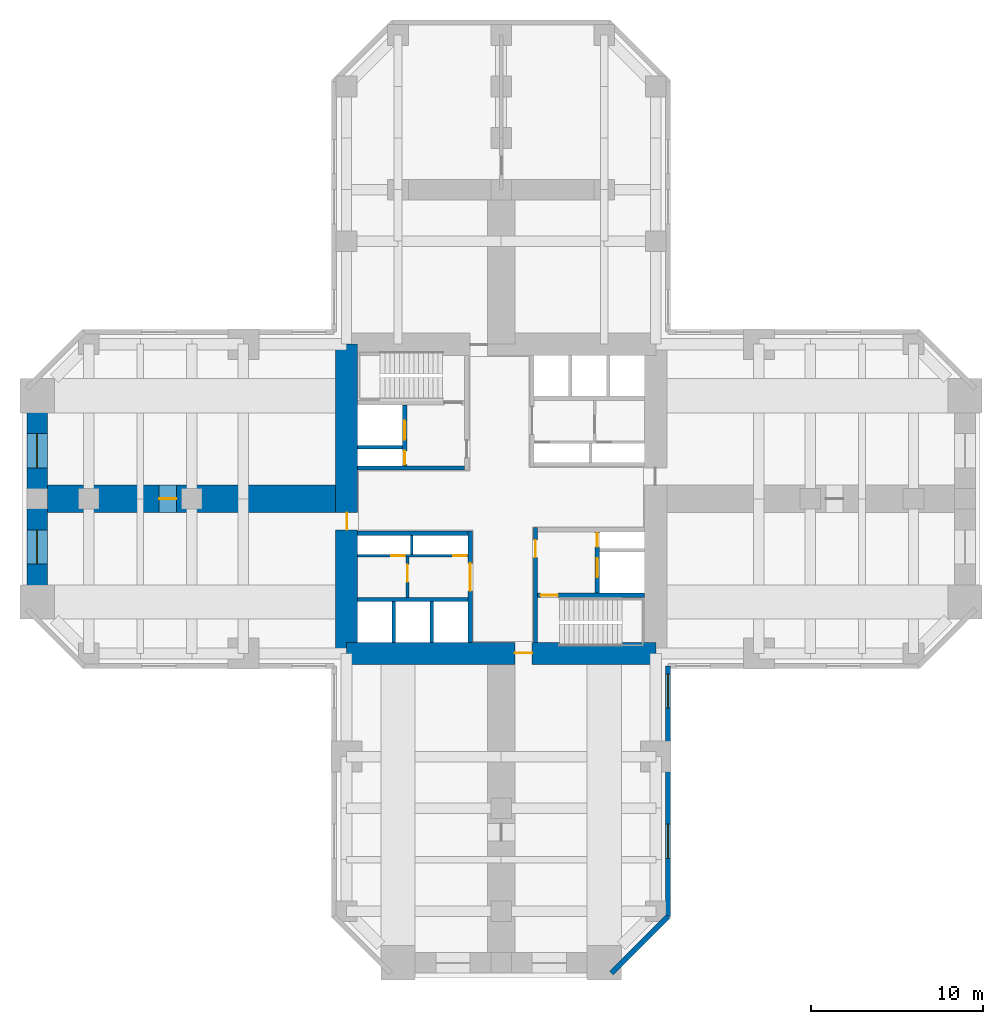
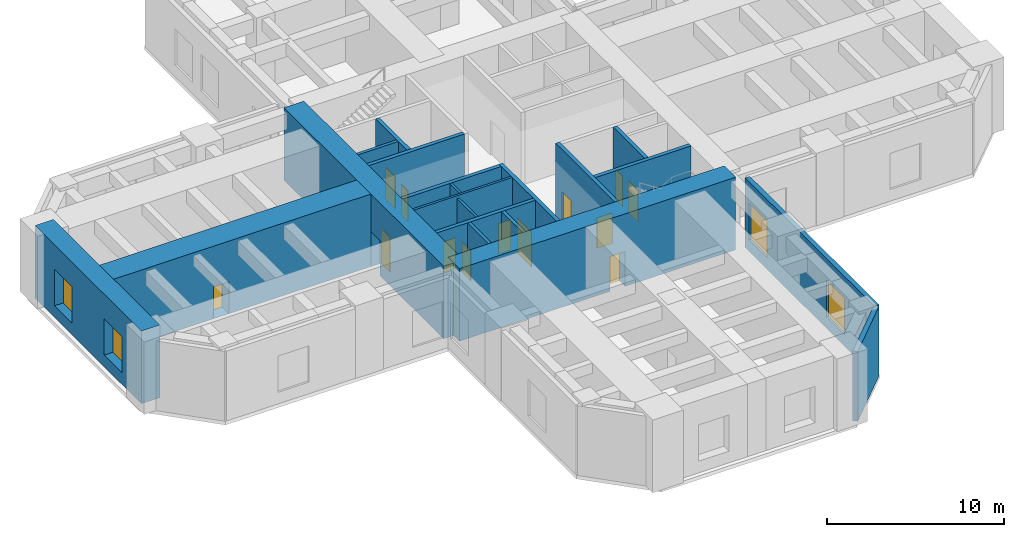
# One storey, part 3 of 6: 20 walls, 13 doors, 4 windows, 17 openings.
"""IFC4 building model written with IfcOpenShell, lengths in metres."""

from ifc_helpers import new_model, si_unit, direction, frame, frame_2d, origin, place, context, subcontext, project, spatial, rectangle, hollow_rectangle, extrude, material, layer, layer_set, constituent, constituent_set, type_object, element, fill, save


model = new_model("IFC4")

# Units and contexts
model_context = context("Model", 3, precision=1e-05, world=origin(), true_north=direction((0.0, 1.0)))
body_context = subcontext(model_context, "Body", "Model", "MODEL_VIEW")
ifc_project = project(units=[si_unit("LENGTHUNIT", "METRE"), si_unit("AREAUNIT", "SQUARE_METRE"), si_unit("VOLUMEUNIT", "CUBIC_METRE"), si_unit("PLANEANGLEUNIT", "RADIAN"), si_unit("MASSUNIT", "GRAM", prefix="KILO")], contexts=[model_context])

# Site, building, storey
site_placement = place(None, origin())
site = spatial("IfcSite", under=ifc_project, at=site_placement, CompositionType="ELEMENT")
building_placement = place(site_placement, origin())
building = spatial("IfcBuilding", under=site, at=building_placement, Name="Torre Cruceta", CompositionType="ELEMENT")
storey_placement = place(building_placement, frame((0.0, 0.0, 18.5)))
storey = spatial("IfcBuildingStorey", under=building, at=storey_placement, Name="L04", CompositionType="ELEMENT", Elevation=18.5)

# Wall
ifc_material_1 = material(Name="Concrete G60 (fck 60 MPa)", Category="concrete")
ifc_layer_1 = layer(ifc_material_1, 0.25)
ifc_layer_set_1 = layer_set([ifc_layer_1], Name="Concrete G60 (fck 60 MPa)")
wall_type_1 = type_object("IfcWallType", Name="CORE INNER WALL 250 G60", PredefinedType="SHEAR", material=ifc_layer_set_1)
wall_1_placement = place(storey_placement, frame((-2.125, 1.800048828125, 0.0), z_axis=(0.0, 0.0, 1.0), x_axis=(-1.0, 0.0, 0.0)))
element("IfcWall", 1, at=wall_1_placement, inside=storey, type_object=wall_type_1, Name="CW4 L04 NW-CV", PredefinedType="SHEAR", context=body_context, shape_type="SweptSolid", body=[
    extrude(rectangle(XDim=6.22509765625, YDim=0.25, at=frame_2d((3.112548828125, 0.0))), origin(), (0.0, 0.0, 1.0), 5.0),
])

# Wall, openings, doors
wall_2_placement = place(storey_placement, frame((-5.60009765625, 1.925048828125, 0.0), z_axis=(0.0, 0.0, 1.0), x_axis=(0.0, 1.0, 0.0)))
wall_2 = element("IfcWall", 2, at=wall_2_placement, inside=storey, type_object=wall_type_1, Name="CW4 L04 NW-FU", PredefinedType="SHEAR", context=body_context, shape_type="SweptSolid", body=[
    extrude(rectangle(XDim=3.550048828125, YDim=0.25, at=frame_2d((1.77490234375, 0.0))), origin(), (0.0, 0.0, 1.0), 5.0),
])
opening_1_placement = place(wall_2_placement, frame((1.52490234375, 0.0, 0.0)))
opening_1 = element("IfcOpeningElement", 3, at=opening_1_placement, cuts=wall_2, Name="Opening LD1", PredefinedType="OPENING", context=body_context, shape_type="SweptSolid", body=[
    extrude(rectangle(XDim=1.10009765625, YDim=2.199951171875, at=frame_2d((0.550048828125, 1.10009765625))), frame((0.0, 0.135009765625, 0.0), z_axis=(0.0, -1.0, 0.0), x_axis=(1.0, 0.0, 0.0)), (0.0, 0.0, 1.0), 0.27001953125),
])
opening_2_placement = place(wall_2_placement, frame((0.074951171875, 0.0, 0.0)))
opening_2 = element("IfcOpeningElement", 4, at=opening_2_placement, cuts=wall_2, Name="Opening D5", PredefinedType="OPENING", context=body_context, shape_type="SweptSolid", body=[
    extrude(rectangle(XDim=0.800048828125, YDim=2.10009765625, at=frame_2d((0.39990234375, 1.050048828125))), frame((0.0, 0.135009765625, 0.0), z_axis=(0.0, -1.0, 0.0), x_axis=(1.0, 0.0, 0.0)), (0.0, 0.0, 1.0), 0.27001953125),
])
ifc_material_2 = material(Name="Stainless steel 1.4401", Category="steel")
door_type_1 = type_object("IfcDoorType", Name="LIFT LANDING DOOR 1100X2200", OperationType="DOUBLE_DOOR_SLIDING", PredefinedType="DOOR", material=ifc_material_2)
door_1_placement = place(opening_1_placement, origin())
door_1 = element("IfcDoor", 5, at=door_1_placement, inside=storey, type_object=door_type_1, Name="Lift landing door FL1", OperationType="DOUBLE_DOOR_SLIDING", OverallHeight=2.199951171875, OverallWidth=1.10009765625, PredefinedType="DOOR", context=body_context, shape_type="SweptSolid", body=[
    extrude(rectangle(XDim=1.10009765625, YDim=2.199951171875, at=frame_2d((0.550048828125, 1.10009765625))), frame((0.0, 0.02490234375, 0.0), z_axis=(0.0, -1.0, 0.0), x_axis=(1.0, 0.0, 0.0)), (0.0, 0.0, 1.0), 0.050048828125),
])
fill(opening_1, door_1)
ifc_material_3 = material(Name="Steel DX51D", Category="steel")
ifc_constituent_1 = constituent(ifc_material_3, Name="Leaf and frame")
ifc_material_4 = material(Name="Polyester powder coating", Category="paint")
ifc_constituent_2 = constituent(ifc_material_4, Name="Finish")
ifc_constituent_set_1 = constituent_set(constituents=[ifc_constituent_1, ifc_constituent_2], Name="Steel fire door")
door_type_2 = type_object("IfcDoorType", Name="RISER ACCESS DOOR 800X2100", OperationType="SINGLE_SWING_LEFT", PredefinedType="DOOR", material=ifc_constituent_set_1)
door_2_placement = place(opening_2_placement, origin())
door_2 = element("IfcDoor", 6, at=door_2_placement, inside=storey, type_object=door_type_2, Name="D5 L04 NW-RISER", OperationType="SINGLE_SWING_LEFT", OverallHeight=2.10009765625, OverallWidth=0.800048828125, PredefinedType="DOOR", context=body_context, shape_type="SweptSolid", body=[
    extrude(rectangle(XDim=0.800048828125, YDim=2.10009765625, at=frame_2d((0.39990234375, 1.050048828125))), frame((0.0, 0.02490234375, 0.0), z_axis=(0.0, -1.0, 0.0), x_axis=(1.0, 0.0, 0.0)), (0.0, 0.0, 1.0), 0.050048828125),
])
fill(opening_2, door_2)

# Wall, opening, door
wall_3_placement = place(storey_placement, frame((-1.800048828125, -1.875, 0.0), z_axis=(0.0, 0.0, 1.0), x_axis=(0.0, -1.0, 0.0)))
wall_3 = element("IfcWall", 7, at=wall_3_placement, inside=storey, type_object=wall_type_1, Name="CW4 L04 SW-CU", PredefinedType="SHEAR", context=body_context, shape_type="SweptSolid", body=[
    extrude(rectangle(XDim=6.47509765625, YDim=0.25, at=frame_2d((3.237548828125, 0.0))), origin(), (0.0, 0.0, 1.0), 5.0),
])
opening_3_placement = place(wall_3_placement, frame((1.875, 0.0, 0.0)))
opening_3 = element("IfcOpeningElement", 8, at=opening_3_placement, cuts=wall_3, Name="Opening D15", PredefinedType="OPENING", context=body_context, shape_type="SweptSolid", body=[
    extrude(rectangle(XDim=1.60009765625, YDim=2.39990234375, at=frame_2d((0.800048828125, 1.199951171875))), frame((0.0, 0.135009765625, 0.0), z_axis=(0.0, -1.0, 0.0), x_axis=(1.0, 0.0, 0.0)), (0.0, 0.0, 1.0), 0.27001953125),
])
ifc_material_5 = material(Name="Steel DX51D", Category="steel")
ifc_constituent_3 = constituent(ifc_material_5, Name="Leaf and frame")
ifc_material_6 = material(Name="Polyester powder coating", Category="paint")
ifc_constituent_4 = constituent(ifc_material_6, Name="Finish")
ifc_constituent_set_2 = constituent_set(constituents=[ifc_constituent_3, ifc_constituent_4], Name="Steel fire door")
door_type_3 = type_object("IfcDoorType", Name="CORE ROOM DOUBLE DOOR 1600X2400", OperationType="DOUBLE_DOOR_SINGLE_SWING", PredefinedType="DOOR", material=ifc_constituent_set_2)
door_3_placement = place(opening_3_placement, frame((1.60009765625, 0.0, 0.0), z_axis=(0.0, 0.0, 1.0), x_axis=(-1.0, 0.0, 0.0)))
door_3 = element("IfcDoor", 9, at=door_3_placement, inside=storey, type_object=door_type_3, Name="D15 L04 SW-LOBBY", OperationType="DOUBLE_DOOR_SINGLE_SWING", OverallHeight=2.39990234375, OverallWidth=1.60009765625, PredefinedType="DOOR", context=body_context, shape_type="SweptSolid", body=[
    extrude(rectangle(XDim=1.60009765625, YDim=2.39990234375, at=frame_2d((0.800048828125, 1.199951171875))), frame((0.0, 0.025146484375, 0.0), z_axis=(0.0, -1.0, 0.0), x_axis=(1.0, 0.0, 0.0)), (0.0, 0.0, 1.0), 0.050048828125),
])
fill(opening_3, door_3)

# Walls
for number, where, z_axis, x_axis, name in (
    (10, (-1.925048828125, -2.0, 0.0), (0.0, 0.0, 1.0), (-1.0, 0.0, 0.0), "CW4 L04 SW-CV"),
    (11, (-1.925048828125, -5.85009765625, 0.0), (0.0, 0.0, 1.0), (-1.0, 0.0, 0.0), "CW4 L04 SW-LV"),
):
    element("IfcWall", number, at=place(storey_placement, frame(where, z_axis=z_axis, x_axis=x_axis)), inside=storey, type_object=wall_type_1, Name=name, PredefinedType="SHEAR", context=body_context, shape_type="SweptSolid", body=[
        extrude(rectangle(XDim=6.425048828125, YDim=0.25, at=frame_2d((3.21240234375, 0.0))), origin(), (0.0, 0.0, 1.0), 5.0),
    ])

# Wall, opening, door
wall_4_placement = place(storey_placement, frame((2.0, -1.675048828125, 0.0), z_axis=(0.0, 0.0, 1.0), x_axis=(0.0, -1.0, 0.0)))
wall_4 = element("IfcWall", 12, at=wall_4_placement, inside=storey, type_object=wall_type_1, Name="CW4 L04 SE-CU", PredefinedType="SHEAR", context=body_context, shape_type="SweptSolid", body=[
    extrude(rectangle(XDim=6.675048828125, YDim=0.25, at=frame_2d((3.33740234375, 0.0))), origin(), (0.0, 0.0, 1.0), 5.0),
])
opening_4_placement = place(wall_4_placement, frame((0.72509765625, 0.0, 0.0)))
opening_4 = element("IfcOpeningElement", 13, at=opening_4_placement, cuts=wall_4, Name="Opening D3", PredefinedType="OPENING", context=body_context, shape_type="SweptSolid", body=[
    extrude(rectangle(XDim=1.0, YDim=2.10009765625, at=frame_2d((0.5, 1.050048828125))), frame((0.0, 0.135009765625, 0.0), z_axis=(0.0, -1.0, 0.0), x_axis=(1.0, 0.0, 0.0)), (0.0, 0.0, 1.0), 0.27001953125),
])
ifc_material_7 = material(Name="Steel DX51D", Category="steel")
ifc_constituent_5 = constituent(ifc_material_7, Name="Leaf and frame")
ifc_material_8 = material(Name="Polyester powder coating", Category="paint")
ifc_constituent_6 = constituent(ifc_material_8, Name="Finish")
ifc_constituent_set_3 = constituent_set(constituents=[ifc_constituent_5, ifc_constituent_6], Name="Steel fire door")
door_type_4 = type_object("IfcDoorType", Name="FIRE DOOR 1000X2100", OperationType="SINGLE_SWING_LEFT", PredefinedType="DOOR", material=ifc_constituent_set_3)
door_4_placement = place(opening_4_placement, origin())
door_4 = element("IfcDoor", 14, at=door_4_placement, inside=storey, type_object=door_type_4, Name="D3 L04 SE-LOBBY", OperationType="SINGLE_SWING_LEFT", OverallHeight=2.10009765625, OverallWidth=1.0, PredefinedType="DOOR", context=body_context, shape_type="SweptSolid", body=[
    extrude(rectangle(XDim=1.0, YDim=2.10009765625, at=frame_2d((0.5, 1.050048828125))), frame((0.0, 0.02490234375, 0.0), z_axis=(0.0, -1.0, 0.0), x_axis=(1.0, 0.0, 0.0)), (0.0, 0.0, 1.0), 0.050048828125),
])
fill(opening_4, door_4)

wall_5_placement = place(storey_placement, frame((2.125, -5.60009765625, 0.0), z_axis=(0.0, 0.0, 1.0), x_axis=(1.0, 0.0, 0.0)))
wall_5 = element("IfcWall", 15, at=wall_5_placement, inside=storey, type_object=wall_type_1, Name="CW4 L04 SE-SV", PredefinedType="SHEAR", context=body_context, shape_type="SweptSolid", body=[
    extrude(rectangle(XDim=6.22509765625, YDim=0.25, at=frame_2d((3.112548828125, 0.0))), origin(), (0.0, 0.0, 1.0), 5.0),
])
opening_5_placement = place(wall_5_placement, frame((0.175048828125, 0.0, 0.0)))
opening_5 = element("IfcOpeningElement", 16, at=opening_5_placement, cuts=wall_5, Name="Opening D3", PredefinedType="OPENING", context=body_context, shape_type="SweptSolid", body=[
    extrude(rectangle(XDim=1.0, YDim=2.10009765625, at=frame_2d((0.5, 1.050048828125))), frame((0.0, 0.135009765625, 0.0), z_axis=(0.0, -1.0, 0.0), x_axis=(1.0, 0.0, 0.0)), (0.0, 0.0, 1.0), 0.27001953125),
])
door_5_placement = place(opening_5_placement, frame((1.0, 0.0, 0.0), z_axis=(0.0, 0.0, 1.0), x_axis=(-1.0, 0.0, 0.0)))
door_5 = element("IfcDoor", 17, at=door_5_placement, inside=storey, type_object=door_type_4, Name="D3 L04 SE-STAIR", OperationType="SINGLE_SWING_RIGHT", OverallHeight=2.10009765625, OverallWidth=1.0, PredefinedType="DOOR", context=body_context, shape_type="SweptSolid", body=[
    extrude(rectangle(XDim=1.0, YDim=2.10009765625, at=frame_2d((0.5, 1.050048828125))), frame((0.0, 0.025146484375, 0.0), z_axis=(0.0, -1.0, 0.0), x_axis=(1.0, 0.0, 0.0)), (0.0, 0.0, 1.0), 0.050048828125),
])
fill(opening_5, door_5)

# Wall, openings, doors
wall_6_placement = place(storey_placement, frame((5.60009765625, -1.925048828125, 0.0), z_axis=(0.0, 0.0, 1.0), x_axis=(0.0, -1.0, 0.0)))
wall_6 = element("IfcWall", 18, at=wall_6_placement, inside=storey, type_object=wall_type_1, Name="CW4 L04 SE-FU", PredefinedType="SHEAR", context=body_context, shape_type="SweptSolid", body=[
    extrude(rectangle(XDim=3.550048828125, YDim=0.25, at=frame_2d((1.77490234375, 0.0))), origin(), (0.0, 0.0, 1.0), 5.0),
])
opening_6_placement = place(wall_6_placement, frame((1.52490234375, 0.0, 0.0)))
opening_6 = element("IfcOpeningElement", 19, at=opening_6_placement, cuts=wall_6, Name="Opening LD1", PredefinedType="OPENING", context=body_context, shape_type="SweptSolid", body=[
    extrude(rectangle(XDim=1.10009765625, YDim=2.199951171875, at=frame_2d((0.550048828125, 1.10009765625))), frame((0.0, 0.135009765625, 0.0), z_axis=(0.0, -1.0, 0.0), x_axis=(1.0, 0.0, 0.0)), (0.0, 0.0, 1.0), 0.27001953125),
])
opening_7_placement = place(wall_6_placement, frame((0.074951171875, 0.0, 0.0)))
opening_7 = element("IfcOpeningElement", 20, at=opening_7_placement, cuts=wall_6, Name="Opening D5", PredefinedType="OPENING", context=body_context, shape_type="SweptSolid", body=[
    extrude(rectangle(XDim=0.800048828125, YDim=2.10009765625, at=frame_2d((0.39990234375, 1.050048828125))), frame((0.0, 0.135009765625, 0.0), z_axis=(0.0, -1.0, 0.0), x_axis=(1.0, 0.0, 0.0)), (0.0, 0.0, 1.0), 0.27001953125),
])
door_6_placement = place(opening_6_placement, origin())
door_6 = element("IfcDoor", 21, at=door_6_placement, inside=storey, type_object=door_type_1, Name="Lift landing door FL2", OperationType="DOUBLE_DOOR_SLIDING", OverallHeight=2.199951171875, OverallWidth=1.10009765625, PredefinedType="DOOR", context=body_context, shape_type="SweptSolid", body=[
    extrude(rectangle(XDim=1.10009765625, YDim=2.199951171875, at=frame_2d((0.550048828125, 1.10009765625))), frame((0.0, 0.02490234375, 0.0), z_axis=(0.0, -1.0, 0.0), x_axis=(1.0, 0.0, 0.0)), (0.0, 0.0, 1.0), 0.050048828125),
])
fill(opening_6, door_6)
door_7_placement = place(opening_7_placement, origin())
door_7 = element("IfcDoor", 22, at=door_7_placement, inside=storey, type_object=door_type_2, Name="D5 L04 SE-RISER", OperationType="SINGLE_SWING_LEFT", OverallHeight=2.10009765625, OverallWidth=0.800048828125, PredefinedType="DOOR", context=body_context, shape_type="SweptSolid", body=[
    extrude(rectangle(XDim=0.800048828125, YDim=2.10009765625, at=frame_2d((0.39990234375, 1.050048828125))), frame((0.0, 0.02490234375, 0.0), z_axis=(0.0, -1.0, 0.0), x_axis=(1.0, 0.0, 0.0)), (0.0, 0.0, 1.0), 0.050048828125),
])
fill(opening_7, door_7)

# Wall, opening, door
ifc_material_9 = material(Name="Concrete G60 (fck 60 MPa)", Category="concrete")
ifc_layer_2 = layer(ifc_material_9, 1.300048828125)
ifc_layer_set_2 = layer_set([ifc_layer_2], Name="Concrete G60 (fck 60 MPa)")
wall_type_2 = type_object("IfcWallType", Name="CORE WALL 1300 G60", PredefinedType="SHEAR", material=ifc_layer_set_2)
wall_7_placement = place(storey_placement, frame((-9.0, -9.0, 0.0), z_axis=(0.0, 0.0, 1.0), x_axis=(1.0, 0.0, 0.0)))
wall_7 = element("IfcWall", 23, at=wall_7_placement, inside=storey, type_object=wall_type_2, Name="CW1 L04 CW-S", PredefinedType="SHEAR", context=body_context, shape_type="SweptSolid", body=[
    extrude(rectangle(XDim=18.0, YDim=1.300048828125, at=frame_2d((9.0, 0.0))), origin(), (0.0, 0.0, 1.0), 5.0),
])
opening_8_placement = place(wall_7_placement, frame((9.800048828125, 0.0, 0.0)))
opening_8 = element("IfcOpeningElement", 24, at=opening_8_placement, cuts=wall_7, Name="Opening D4", PredefinedType="OPENING", context=body_context, shape_type="SweptSolid", body=[
    extrude(rectangle(XDim=1.0, YDim=2.39990234375, at=frame_2d((0.5, 1.199951171875))), frame((0.0, 0.659912109375, 0.0), z_axis=(0.0, -1.0, 0.0), x_axis=(1.0, 0.0, 0.0)), (0.0, 0.0, 1.0), 1.320068359375),
])
ifc_material_10 = material(Name="Steel DX51D", Category="steel")
ifc_constituent_7 = constituent(ifc_material_10, Name="Leaf and frame")
ifc_material_11 = material(Name="Polyester powder coating", Category="paint")
ifc_constituent_8 = constituent(ifc_material_11, Name="Finish")
ifc_constituent_set_4 = constituent_set(constituents=[ifc_constituent_7, ifc_constituent_8], Name="Steel fire door")
door_type_5 = type_object("IfcDoorType", Name="CORE ARM DOOR 1000X2400", OperationType="SINGLE_SWING_RIGHT", PredefinedType="DOOR", material=ifc_constituent_set_4)
door_8_placement = place(opening_8_placement, frame((1.0, 0.0, 0.0), z_axis=(0.0, 0.0, 1.0), x_axis=(-1.0, 0.0, 0.0)))
door_8 = element("IfcDoor", 25, at=door_8_placement, inside=storey, type_object=door_type_5, Name="D4 L04 CW-S", OperationType="SINGLE_SWING_RIGHT", OverallHeight=2.39990234375, OverallWidth=1.0, PredefinedType="DOOR", context=body_context, shape_type="SweptSolid", body=[
    extrude(rectangle(XDim=1.0, YDim=2.39990234375, at=frame_2d((0.5, 1.199951171875))), frame((0.0, -0.005126953125, 0.0), z_axis=(0.0, -1.0, 0.0), x_axis=(1.0, 0.0, 0.0)), (0.0, 0.0, 1.0), 0.050048828125),
])
fill(opening_8, door_8)

wall_8_placement = place(storey_placement, frame((-9.0, 9.0, 0.0), z_axis=(0.0, 0.0, 1.0), x_axis=(0.0, -1.0, 0.0)))
wall_8 = element("IfcWall", 26, at=wall_8_placement, inside=storey, type_object=wall_type_2, Name="CW1 L04 CW-W", PredefinedType="SHEAR", context=body_context, shape_type="SweptSolid", body=[
    extrude(rectangle(XDim=18.0, YDim=1.300048828125, at=frame_2d((9.0, 0.0))), origin(), (0.0, 0.0, 1.0), 5.0),
])
opening_9_placement = place(wall_8_placement, frame((9.800048828125, 0.0, 0.0)))
opening_9 = element("IfcOpeningElement", 27, at=opening_9_placement, cuts=wall_8, Name="Opening D4", PredefinedType="OPENING", context=body_context, shape_type="SweptSolid", body=[
    extrude(rectangle(XDim=1.0, YDim=2.39990234375, at=frame_2d((0.5, 1.199951171875))), frame((0.0, 0.659912109375, 0.0), z_axis=(0.0, -1.0, 0.0), x_axis=(1.0, 0.0, 0.0)), (0.0, 0.0, 1.0), 1.320068359375),
])
door_9_placement = place(opening_9_placement, frame((1.0, 0.0, 0.0), z_axis=(0.0, 0.0, 1.0), x_axis=(-1.0, 0.0, 0.0)))
door_9 = element("IfcDoor", 28, at=door_9_placement, inside=storey, type_object=door_type_5, Name="D4 L04 CW-W", OperationType="SINGLE_SWING_RIGHT", OverallHeight=2.39990234375, OverallWidth=1.0, PredefinedType="DOOR", context=body_context, shape_type="SweptSolid", body=[
    extrude(rectangle(XDim=1.0, YDim=2.39990234375, at=frame_2d((0.5, 1.199951171875))), frame((0.0, -0.005126953125, 0.0), z_axis=(0.0, -1.0, 0.0), x_axis=(1.0, 0.0, 0.0)), (0.0, 0.0, 1.0), 0.050048828125),
])
fill(opening_9, door_9)

# Wall
ifc_material_12 = material(Name="Concrete G30 (fck 30 MPa)", Category="concrete")
ifc_layer_3 = layer(ifc_material_12, 0.300048828125)
ifc_layer_set_3 = layer_set([ifc_layer_3], Name="Concrete G30 (fck 30 MPa)")
wall_type_3 = type_object("IfcWallType", Name="EXPOSED CONCRETE FACADE WALL 300", PredefinedType="SOLIDWALL", material=ifc_layer_set_3)
wall_9_placement = place(storey_placement, frame((6.418212890625, -27.60009765625, 0.0), z_axis=(0.0, 0.0, 1.0), x_axis=(0.707106781187, 0.707106781187, 0.0)))
element("IfcWall", 29, at=wall_9_placement, inside=storey, type_object=wall_type_3, Name="EW1 facade wall L04 S chamfer 18", PredefinedType="SOLIDWALL", context=body_context, shape_type="SweptSolid", body=[
    extrude(rectangle(XDim=4.66943359375, YDim=0.300048828125, at=frame_2d((2.334716796875, 0.0))), origin(), (0.0, 0.0, 1.0), 4.800048828125),
])

# Wall, openings, windows
wall_10_placement = place(storey_placement, frame((9.719970703125, -24.29833984375, 0.0), z_axis=(0.0, 0.0, 1.0), x_axis=(0.0, 1.0, 0.0)))
wall_10 = element("IfcWall", 30, at=wall_10_placement, inside=storey, type_object=wall_type_3, Name="EW1 facade wall L04 S side 19", PredefinedType="SOLIDWALL", context=body_context, shape_type="SweptSolid", body=[
    extrude(rectangle(XDim=14.578369140625, YDim=0.300048828125, at=frame_2d((7.2890625, 0.0))), origin(), (0.0, 0.0, 1.0), 4.800048828125),
])
opening_10_placement = place(wall_10_placement, frame((3.37353515625, 0.0, 0.800048828125)))
opening_10 = element("IfcOpeningElement", 31, at=opening_10_placement, cuts=wall_10, Name="Opening WN3", PredefinedType="OPENING", context=body_context, shape_type="SweptSolid", body=[
    extrude(rectangle(XDim=2.0, YDim=2.5, at=frame_2d((1.0, 1.25))), frame((0.0, 0.159912109375, 0.0), z_axis=(0.0, -1.0, 0.0), x_axis=(1.0, 0.0, 0.0)), (0.0, 0.0, 1.0), 0.320068359375),
])
opening_11_placement = place(wall_10_placement, frame((12.120361328125, 0.0, 0.800048828125)))
opening_11 = element("IfcOpeningElement", 32, at=opening_11_placement, cuts=wall_10, Name="Opening WN3", PredefinedType="OPENING", context=body_context, shape_type="SweptSolid", body=[
    extrude(rectangle(XDim=2.0, YDim=2.5, at=frame_2d((1.0, 1.25))), frame((0.0, 0.159912109375, 0.0), z_axis=(0.0, -1.0, 0.0), x_axis=(1.0, 0.0, 0.0)), (0.0, 0.0, 1.0), 0.320068359375),
])
ifc_material_13 = material(Name="Aluminium window frame", Category="aluminium")
ifc_constituent_9 = constituent(ifc_material_13, Name="Frame")
ifc_material_14 = material(Name="Laminated insulating glass unit, low-iron clear", Category="glass")
ifc_constituent_10 = constituent(ifc_material_14, Name="Glazing")
ifc_constituent_set_5 = constituent_set(constituents=[ifc_constituent_9, ifc_constituent_10], Name="Aluminium window")
window_type = type_object("IfcWindowType", Name="PLANT LOUVRE 2000X2500", PartitioningType="SINGLE_PANEL", PredefinedType="WINDOW", material=ifc_constituent_set_5)
window_1_placement = place(opening_10_placement, origin())
window_1 = element("IfcWindow", 33, at=window_1_placement, inside=storey, type_object=window_type, Name="WN3 L04 S 2", OverallHeight=2.5, OverallWidth=2.0, PartitioningType="SINGLE_PANEL", PredefinedType="WINDOW", context=body_context, shape_type="SweptSolid", body=[
    extrude(hollow_rectangle(XDim=2.0, YDim=2.5, WallThickness=0.06005859375, at=frame_2d((1.0, 1.25))), frame((0.0, 0.030029296875, 0.0), z_axis=(0.0, -1.0, 0.0), x_axis=(1.0, 0.0, 0.0)), (0.0, 0.0, 1.0), 0.06005859375),
    extrude(rectangle(XDim=1.87890625, YDim=2.37890625, at=frame_2d((1.0, 1.25))), frame((0.0, 0.030029296875, 0.0), z_axis=(0.0, -1.0, 0.0), x_axis=(1.0, 0.0, 0.0)), (0.0, 0.0, 1.0), 0.06005859375),
])
fill(opening_10, window_1)
window_2_placement = place(opening_11_placement, origin())
window_2 = element("IfcWindow", 34, at=window_2_placement, inside=storey, type_object=window_type, Name="WN3 L04 S 5", OverallHeight=2.5, OverallWidth=2.0, PartitioningType="SINGLE_PANEL", PredefinedType="WINDOW", context=body_context, shape_type="SweptSolid", body=[
    extrude(hollow_rectangle(XDim=2.0, YDim=2.5, WallThickness=0.06005859375, at=frame_2d((1.0, 1.25))), frame((0.0, 0.030029296875, 0.0), z_axis=(0.0, -1.0, 0.0), x_axis=(1.0, 0.0, 0.0)), (0.0, 0.0, 1.0), 0.06005859375),
    extrude(rectangle(XDim=1.87890625, YDim=2.37890625, at=frame_2d((1.0, 1.25))), frame((0.0, 0.030029296875, 0.0), z_axis=(0.0, -1.0, 0.0), x_axis=(1.0, 0.0, 0.0)), (0.0, 0.0, 1.0), 0.06005859375),
])
fill(opening_11, window_2)

# Walls
ifc_material_15 = material(Name="Concrete G35 (fck 35 MPa)", Category="concrete")
ifc_layer_4 = layer(ifc_material_15, 0.199951171875)
ifc_layer_set_4 = layer_set([ifc_layer_4], Name="Concrete G35 (fck 35 MPa)")
wall_type_4 = type_object("IfcWallType", Name="LIFT SHAFT WALL 200", PredefinedType="PARTITIONING", material=ifc_layer_set_4)
wall_11_placement = place(storey_placement, frame((-5.72509765625, 3.0, 0.0), z_axis=(0.0, 0.0, 1.0), x_axis=(-1.0, 0.0, 0.0)))
element("IfcWall", 35, at=wall_11_placement, inside=storey, type_object=wall_type_4, Name="SW1 L04 NW-FR", PredefinedType="PARTITIONING", context=body_context, shape_type="SweptSolid", body=[
    extrude(rectangle(XDim=2.625, YDim=0.199951171875, at=frame_2d((1.3125, 0.0))), origin(), (0.0, 0.0, 1.0), 5.0),
])
for number, where, z_axis, x_axis, name in (
    (36, (-4.033447265625, -5.97509765625, 0.0), (0.0, 0.0, 1.0), (0.0, -1.0, 0.0), "SW1 L04 SW-LS1"),
    (37, (-6.24169921875, -5.97509765625, 0.0), (0.0, 0.0, 1.0), (0.0, -1.0, 0.0), "SW1 L04 SW-LS2"),
):
    element("IfcWall", number, at=place(storey_placement, frame(where, z_axis=z_axis, x_axis=x_axis)), inside=storey, type_object=wall_type_4, Name=name, PredefinedType="PARTITIONING", context=body_context, shape_type="SweptSolid", body=[
        extrude(rectangle(XDim=2.375, YDim=0.199951171875, at=frame_2d((1.1875, 0.0))), origin(), (0.0, 0.0, 1.0), 5.0),
    ])

# Wall, openings, windows
ifc_material_16 = material(Name="Concrete G60 (fck 60 MPa)", Category="concrete")
ifc_layer_5 = layer(ifc_material_16, 1.199951171875)
ifc_layer_set_5 = layer_set([ifc_layer_5], Name="Concrete G60 (fck 60 MPa)")
wall_type_5 = type_object("IfcWallType", Name="NOSE WALL 1200 G60", PredefinedType="SHEAR", material=ifc_layer_set_5)
wall_12_placement = place(storey_placement, frame((-27.0, 6.0, 0.0), z_axis=(0.0, 0.0, 1.0), x_axis=(0.0, -1.0, 0.0)))
wall_12 = element("IfcWall", 38, at=wall_12_placement, inside=storey, type_object=wall_type_5, Name="NW1 nose wall L04 W", PredefinedType="SHEAR", context=body_context, shape_type="SweptSolid", body=[
    extrude(rectangle(XDim=12.0, YDim=1.199951171875, at=frame_2d((6.0, 0.0))), origin(), (0.0, 0.0, 1.0), 5.0),
])
opening_12_placement = place(wall_12_placement, frame((2.199951171875, 0.0, 0.800048828125)))
opening_12 = element("IfcOpeningElement", 39, at=opening_12_placement, cuts=wall_12, Name="Opening WN3", PredefinedType="OPENING", context=body_context, shape_type="SweptSolid", body=[
    extrude(rectangle(XDim=2.0, YDim=2.5, at=frame_2d((1.0, 1.25))), frame((0.0, 0.60986328125, 0.0), z_axis=(0.0, -1.0, 0.0), x_axis=(1.0, 0.0, 0.0)), (0.0, 0.0, 1.0), 1.219970703125),
])
opening_13_placement = place(wall_12_placement, frame((7.800048828125, 0.0, 0.800048828125)))
opening_13 = element("IfcOpeningElement", 40, at=opening_13_placement, cuts=wall_12, Name="Opening WN3", PredefinedType="OPENING", context=body_context, shape_type="SweptSolid", body=[
    extrude(rectangle(XDim=2.0, YDim=2.5, at=frame_2d((1.0, 1.25))), frame((0.0, 0.60986328125, 0.0), z_axis=(0.0, -1.0, 0.0), x_axis=(1.0, 0.0, 0.0)), (0.0, 0.0, 1.0), 1.219970703125),
])
window_3_placement = place(opening_12_placement, origin())
window_3 = element("IfcWindow", 41, at=window_3_placement, inside=storey, type_object=window_type, Name="WN3 L04 W 1", OverallHeight=2.5, OverallWidth=2.0, PartitioningType="SINGLE_PANEL", PredefinedType="WINDOW", context=body_context, shape_type="SweptSolid", body=[
    extrude(hollow_rectangle(XDim=2.0, YDim=2.5, WallThickness=0.06005859375, at=frame_2d((1.0, 1.25))), frame((0.0, 0.030029296875, 0.0), z_axis=(0.0, -1.0, 0.0), x_axis=(1.0, 0.0, 0.0)), (0.0, 0.0, 1.0), 0.06005859375),
    extrude(rectangle(XDim=1.87890625, YDim=2.37890625, at=frame_2d((1.0, 1.25))), frame((0.0, 0.030029296875, 0.0), z_axis=(0.0, -1.0, 0.0), x_axis=(1.0, 0.0, 0.0)), (0.0, 0.0, 1.0), 0.06005859375),
])
fill(opening_12, window_3)
window_4_placement = place(opening_13_placement, origin())
window_4 = element("IfcWindow", 42, at=window_4_placement, inside=storey, type_object=window_type, Name="WN3 L04 W 2", OverallHeight=2.5, OverallWidth=2.0, PartitioningType="SINGLE_PANEL", PredefinedType="WINDOW", context=body_context, shape_type="SweptSolid", body=[
    extrude(hollow_rectangle(XDim=2.0, YDim=2.5, WallThickness=0.06005859375, at=frame_2d((1.0, 1.25))), frame((0.0, 0.030029296875, 0.0), z_axis=(0.0, -1.0, 0.0), x_axis=(1.0, 0.0, 0.0)), (0.0, 0.0, 1.0), 0.06005859375),
    extrude(rectangle(XDim=1.87890625, YDim=2.37890625, at=frame_2d((1.0, 1.25))), frame((0.0, 0.030029296875, 0.0), z_axis=(0.0, -1.0, 0.0), x_axis=(1.0, 0.0, 0.0)), (0.0, 0.0, 1.0), 0.06005859375),
])
fill(opening_13, window_4)

# Wall, opening, door
ifc_material_17 = material(Name="Plasterboard on steel studs", Category="steel")
ifc_layer_6 = layer(ifc_material_17, 0.14990234375)
ifc_layer_set_6 = layer_set([ifc_layer_6], Name="Plasterboard on steel studs")
wall_type_6 = type_object("IfcWallType", Name="PARTITION 150", PredefinedType="PARTITIONING", material=ifc_layer_set_6)
wall_13_placement = place(storey_placement, frame((-5.449951171875, -3.375, 0.0), z_axis=(0.0, 0.0, 1.0), x_axis=(0.0, -1.0, 0.0)))
wall_13 = element("IfcWall", 43, at=wall_13_placement, inside=storey, type_object=wall_type_6, Name="PT1 L04-CORE-SW-X", PredefinedType="PARTITIONING", context=body_context, shape_type="SweptSolid", body=[
    extrude(rectangle(XDim=2.35009765625, YDim=0.14990234375, at=frame_2d((1.175048828125, 0.0))), origin(), (0.0, 0.0, 1.0), 4.800048828125),
])
opening_14_placement = place(wall_13_placement, frame((0.449951171875, 0.0, 0.0)))
opening_14 = element("IfcOpeningElement", 44, at=opening_14_placement, cuts=wall_13, Name="Opening D3", PredefinedType="OPENING", context=body_context, shape_type="SweptSolid", body=[
    extrude(rectangle(XDim=1.0, YDim=2.10009765625, at=frame_2d((0.5, 1.050048828125))), frame((0.0, 0.0849609375, 0.0), z_axis=(0.0, -1.0, 0.0), x_axis=(1.0, 0.0, 0.0)), (0.0, 0.0, 1.0), 0.169921875),
])
door_10_placement = place(opening_14_placement, frame((1.0, 0.0, 0.0), z_axis=(0.0, 0.0, 1.0), x_axis=(-1.0, 0.0, 0.0)))
door_10 = element("IfcDoor", 45, at=door_10_placement, inside=storey, type_object=door_type_4, Name="D3 L04-CORE-SW-X-D1", OperationType="SINGLE_SWING_RIGHT", OverallHeight=2.10009765625, OverallWidth=1.0, PredefinedType="DOOR", context=body_context, shape_type="SweptSolid", body=[
    extrude(rectangle(XDim=1.0, YDim=2.10009765625, at=frame_2d((0.5, 1.050048828125))), frame((0.0, 0.025146484375, 0.0), z_axis=(0.0, -1.0, 0.0), x_axis=(1.0, 0.0, 0.0)), (0.0, 0.0, 1.0), 0.050048828125),
])
fill(opening_14, door_10)

# Wall, openings, doors
ifc_material_18 = material(Name="Concrete block masonry", Category="masonry")
ifc_layer_7 = layer(ifc_material_18, 0.14990234375)
ifc_layer_set_7 = layer_set([ifc_layer_7], Name="Concrete block masonry")
wall_type_7 = type_object("IfcWallType", Name="RISER WALL 150", PredefinedType="PARTITIONING", material=ifc_layer_set_7)
wall_14_placement = place(storey_placement, frame((-1.925048828125, -3.300048828125, 0.0), z_axis=(0.0, 0.0, 1.0), x_axis=(-1.0, 0.0, 0.0)))
wall_14 = element("IfcWall", 46, at=wall_14_placement, inside=storey, type_object=wall_type_7, Name="SW7 L04 SW-RV", PredefinedType="PARTITIONING", context=body_context, shape_type="SweptSolid", body=[
    extrude(rectangle(XDim=6.425048828125, YDim=0.14990234375, at=frame_2d((3.21240234375, 0.0))), origin(), (0.0, 0.0, 1.0), 5.0),
])
opening_15_placement = place(wall_14_placement, frame((0.074951171875, 0.0, 0.0)))
opening_15 = element("IfcOpeningElement", 47, at=opening_15_placement, cuts=wall_14, Name="Opening D5", PredefinedType="OPENING", context=body_context, shape_type="SweptSolid", body=[
    extrude(rectangle(XDim=0.800048828125, YDim=2.10009765625, at=frame_2d((0.39990234375, 1.050048828125))), frame((0.0, 0.0849609375, 0.0), z_axis=(0.0, -1.0, 0.0), x_axis=(1.0, 0.0, 0.0)), (0.0, 0.0, 1.0), 0.169921875),
])
opening_16_placement = place(wall_14_placement, frame((3.675048828125, 0.0, 0.0)))
opening_16 = element("IfcOpeningElement", 48, at=opening_16_placement, cuts=wall_14, Name="Opening D5", PredefinedType="OPENING", context=body_context, shape_type="SweptSolid", body=[
    extrude(rectangle(XDim=0.800048828125, YDim=2.10009765625, at=frame_2d((0.39990234375, 1.050048828125))), frame((0.0, 0.0849609375, 0.0), z_axis=(0.0, -1.0, 0.0), x_axis=(1.0, 0.0, 0.0)), (0.0, 0.0, 1.0), 0.169921875),
])
door_11_placement = place(opening_15_placement, frame((0.800048828125, 0.0, 0.0), z_axis=(0.0, 0.0, 1.0), x_axis=(-1.0, 0.0, 0.0)))
door_11 = element("IfcDoor", 49, at=door_11_placement, inside=storey, type_object=door_type_2, Name="D5 L04 SW-RISER1", OperationType="SINGLE_SWING_RIGHT", OverallHeight=2.10009765625, OverallWidth=0.800048828125, PredefinedType="DOOR", context=body_context, shape_type="SweptSolid", body=[
    extrude(rectangle(XDim=0.800048828125, YDim=2.10009765625, at=frame_2d((0.400146484375, 1.050048828125))), frame((0.0, 0.025146484375, 0.0), z_axis=(0.0, -1.0, 0.0), x_axis=(1.0, 0.0, 0.0)), (0.0, 0.0, 1.0), 0.050048828125),
])
fill(opening_15, door_11)
door_12_placement = place(opening_16_placement, frame((0.800048828125, 0.0, 0.0), z_axis=(0.0, 0.0, 1.0), x_axis=(-1.0, 0.0, 0.0)))
door_12 = element("IfcDoor", 50, at=door_12_placement, inside=storey, type_object=door_type_2, Name="D5 L04 SW-RISER2", OperationType="SINGLE_SWING_RIGHT", OverallHeight=2.10009765625, OverallWidth=0.800048828125, PredefinedType="DOOR", context=body_context, shape_type="SweptSolid", body=[
    extrude(rectangle(XDim=0.800048828125, YDim=2.10009765625, at=frame_2d((0.400146484375, 1.050048828125))), frame((0.0, 0.025146484375, 0.0), z_axis=(0.0, -1.0, 0.0), x_axis=(1.0, 0.0, 0.0)), (0.0, 0.0, 1.0), 0.050048828125),
])
fill(opening_16, door_12)

# Wall
wall_15_placement = place(storey_placement, frame((-5.199951171875, -2.125, 0.0), z_axis=(0.0, 0.0, 1.0), x_axis=(0.0, -1.0, 0.0)))
element("IfcWall", 51, at=wall_15_placement, inside=storey, type_object=wall_type_7, Name="SW7 L04 SW-RU", PredefinedType="PARTITIONING", context=body_context, shape_type="SweptSolid", body=[
    extrude(rectangle(XDim=1.10009765625, YDim=0.14990234375, at=frame_2d((0.550048828125, 0.0))), origin(), (0.0, 0.0, 1.0), 5.0),
])

# Wall, opening, door
ifc_material_19 = material(Name="Concrete G60 (fck 60 MPa)", Category="concrete")
ifc_layer_8 = layer(ifc_material_19, 1.60009765625)
ifc_layer_set_8 = layer_set([ifc_layer_8], Name="Concrete G60 (fck 60 MPa)")
wall_type_8 = type_object("IfcWallType", Name="SPINE WALL 1600 G60", PredefinedType="SHEAR", material=ifc_layer_set_8)
wall_16_placement = place(storey_placement, frame((-9.0, 0.0, 0.0), z_axis=(0.0, 0.0, 1.0), x_axis=(-1.0, 0.0, 0.0)))
wall_16 = element("IfcWall", 52, at=wall_16_placement, inside=storey, type_object=wall_type_8, Name="SW2 spine wall L04 W", PredefinedType="SHEAR", context=body_context, shape_type="SweptSolid", body=[
    extrude(rectangle(XDim=18.0, YDim=1.60009765625, at=frame_2d((9.0, 0.0))), origin(), (0.0, 0.0, 1.0), 5.0),
])
opening_17_placement = place(wall_16_placement, frame((9.89990234375, 0.0, 0.0)))
opening_17 = element("IfcOpeningElement", 53, at=opening_17_placement, cuts=wall_16, Name="Opening D14", PredefinedType="OPENING", context=body_context, shape_type="SweptSolid", body=[
    extrude(rectangle(XDim=1.0, YDim=2.199951171875, at=frame_2d((0.5, 1.10009765625))), frame((0.0, 0.81005859375, 0.0), z_axis=(0.0, -1.0, 0.0), x_axis=(1.0, 0.0, 0.0)), (0.0, 0.0, 1.0), 1.6201171875),
])
ifc_material_20 = material(Name="Steel DX51D", Category="steel")
ifc_constituent_11 = constituent(ifc_material_20, Name="Leaf and frame")
ifc_material_21 = material(Name="Polyester powder coating", Category="paint")
ifc_constituent_12 = constituent(ifc_material_21, Name="Finish")
ifc_material_22 = material(Name="Fire-resisting glass", Category="glass")
ifc_constituent_13 = constituent(ifc_material_22, Name="Vision panel")
ifc_constituent_set_6 = constituent_set(constituents=[ifc_constituent_11, ifc_constituent_12, ifc_constituent_13], Name="Steel fire door with vision panel")
door_type_6 = type_object("IfcDoorType", Name="FIRE DOOR VISION PANEL 1000X2200", OperationType="SINGLE_SWING_RIGHT", PredefinedType="DOOR", material=ifc_constituent_set_6)
door_13_placement = place(opening_17_placement, frame((1.0, 0.0, 0.0), z_axis=(0.0, 0.0, 1.0), x_axis=(-1.0, 0.0, 0.0)))
door_13 = element("IfcDoor", 54, at=door_13_placement, inside=storey, type_object=door_type_6, Name="D14 L04-W-SP1", OperationType="SINGLE_SWING_LEFT", OverallHeight=2.199951171875, OverallWidth=1.0, PredefinedType="DOOR", context=body_context, shape_type="SweptSolid", body=[
    extrude(rectangle(XDim=1.0, YDim=2.199951171875, at=frame_2d((0.5, 1.10009765625))), frame((0.0, 0.025146484375, 0.0), z_axis=(0.0, -1.0, 0.0), x_axis=(1.0, 0.0, 0.0)), (0.0, 0.0, 1.0), 0.050048828125),
])
fill(opening_17, door_13)

save(model, "model.ifc")
